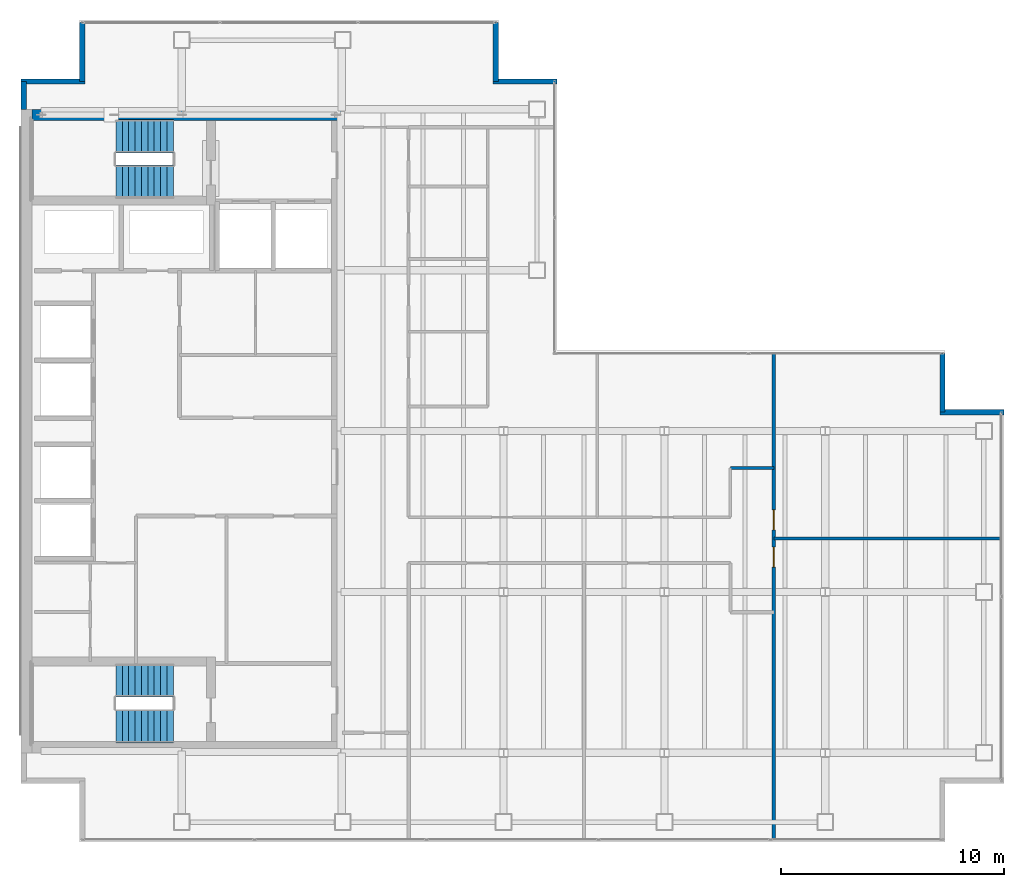
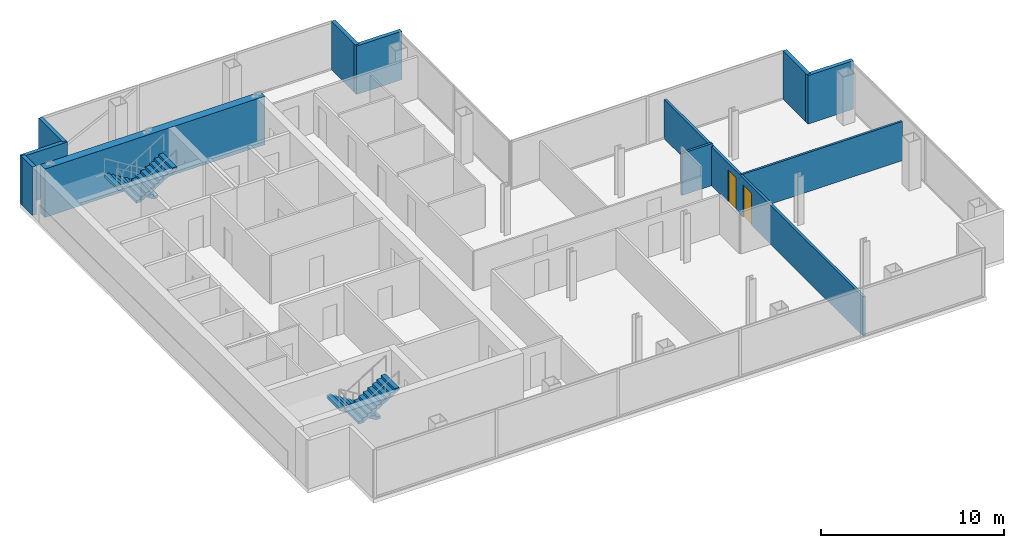
# One storey, part 22 of 23: 11 walls, 4 stair flights, 2 doors, 2 openings, 2 elements without a shape of their own.
"""IFC4 building model written with IfcOpenShell, lengths in metres."""

import ifcopenshell
import ifcopenshell.guid

model = None  # the IFC model being written
_history = None  # IfcOwnerHistory: only IFC2X3 demands one
_inside = {}  # id of a spatial element -> (the spatial element, [elements in it])
_under = {}  # id of a project, library or spatial element -> (it, [spatial elements below it])
_declared = {}  # id of a project -> (the project, [libraries it declares])
_typed = {}  # id of a type object -> (the type object, [elements of that type])
_made_of = {}  # id of a material, layer set ... -> (it, [elements and type objects made of it])


def new_model(schema):
    """Start an empty IFC model of exactly this schema.

    Asked for "IFC4X3", IfcOpenShell would pick the latest addendum, in which some entities
    have other attributes; the version numbers below select the first issue.
    IFC2X3 requires an IfcOwnerHistory on every rooted entity: one is made here for all.
    """
    global model, _history
    if schema == "IFC4X3":
        model = ifcopenshell.file(schema_version=(4, 3, 0, 0))
    else:
        model = ifcopenshell.file(schema=schema)
    _inside.clear()
    _under.clear()
    _declared.clear()
    _typed.clear()
    _made_of.clear()
    _history = None
    if model.schema == "IFC2X3":
        org = make("IfcOrganization", Name="unknown")
        user = make(
            "IfcPersonAndOrganization",
            ThePerson=make("IfcPerson", FamilyName="unknown"),
            TheOrganization=org,
        )
        app = make(
            "IfcApplication",
            ApplicationDeveloper=org,
            Version="unknown",
            ApplicationFullName="unknown",
            ApplicationIdentifier="unknown",
        )
        _history = make(
            "IfcOwnerHistory",
            OwningUser=user,
            OwningApplication=app,
            ChangeAction="ADDED",
            CreationDate=0,
        )
    return model


def make(cls, **values):
    """One entity of the class cls with the attributes given. An attribute that is None is left unset."""
    return model.create_entity(
        cls, **{name: value for name, value in values.items() if value is not None}
    )


def rooted(cls, **values):
    """An entity with a GlobalId (a new one), such as an element, a storey or a relation."""
    return make(cls, GlobalId=ifcopenshell.guid.new(), OwnerHistory=_history, **values)


def si_unit(unit_type, name, prefix=None):
    """IfcSIUnit, for example si_unit("LENGTHUNIT", "METRE", prefix="MILLI")."""
    return make("IfcSIUnit", UnitType=unit_type, Prefix=prefix, Name=name)


def assignment(units):
    """IfcUnitAssignment: the units of a project."""
    return None if units is None else make("IfcUnitAssignment", Units=units)


def point(xyz):
    """IfcCartesianPoint."""
    return None if xyz is None else make("IfcCartesianPoint", Coordinates=xyz)


def direction(xyz):
    """IfcDirection."""
    return None if xyz is None else make("IfcDirection", DirectionRatios=xyz)


def frame(location, z_axis=None, x_axis=None):
    """IfcAxis2Placement3D, a coordinate frame: its origin and axes. An axis left out is left unset."""
    return make(
        "IfcAxis2Placement3D",
        Location=point(location),
        Axis=direction(z_axis),
        RefDirection=direction(x_axis),
    )


def frame_2d(location, x_axis=None):
    """IfcAxis2Placement2D, a coordinate frame in the plane: its origin and x axis."""
    return make(
        "IfcAxis2Placement2D", Location=point(location), RefDirection=direction(x_axis)
    )


def origin():
    """The frame at (0, 0, 0) with its axes left unset."""
    return frame((0.0, 0.0, 0.0))


def place(relative_to, where):
    """IfcLocalPlacement: puts the frame where relative to a parent placement (None: the world)."""
    return make(
        "IfcLocalPlacement", PlacementRelTo=relative_to, RelativePlacement=where
    )


def context(
    kind, dimensions, precision=None, world=None, true_north=None, identifier=None
):
    """IfcGeometricRepresentationContext, for example the 3D "Model" context."""
    return make(
        "IfcGeometricRepresentationContext",
        ContextIdentifier=identifier,
        ContextType=kind,
        CoordinateSpaceDimension=dimensions,
        Precision=precision,
        WorldCoordinateSystem=world,
        TrueNorth=true_north,
    )


def subcontext(parent, identifier, kind, view, scale=None):
    """IfcGeometricRepresentationSubContext, for example "Body" below "Model"."""
    return make(
        "IfcGeometricRepresentationSubContext",
        ContextIdentifier=identifier,
        ContextType=kind,
        ParentContext=parent,
        TargetScale=scale,
        TargetView=view,
    )


def project(units=None, contexts=None):
    """IfcProject with its units and contexts."""
    return rooted(
        "IfcProject",
        Name="project",
        RepresentationContexts=contexts,
        UnitsInContext=assignment(units),
    )


def spatial(cls, under=None, at=None, **own):
    """A site, building, storey or space (cls), placed at a placement, below another one or the project."""
    s = rooted(cls, ObjectPlacement=at, **own)
    if under is not None:
        _under.setdefault(under.id(), (under, []))[1].append(s)
    return s


def polyline(points):
    """IfcPolyline through the points."""
    return make("IfcPolyline", Points=[point(p) for p in points])


def profile(cls, at=None, kind="AREA", **sizes):
    """A parametric profile (cls). Its sizes go by their IFC names, for example OverallWidth=200.0."""
    return make(cls, ProfileType=kind, Position=at, **sizes)


def rectangle(**sizes):
    """IfcRectangleProfileDef."""
    return profile("IfcRectangleProfileDef", **sizes)


def outline(outer, holes=None, kind="AREA"):
    """IfcArbitraryClosedProfileDef: a profile drawn as a closed curve; with holes, ...WithVoids."""
    if holes is None:
        return make("IfcArbitraryClosedProfileDef", ProfileType=kind, OuterCurve=outer)
    return make(
        "IfcArbitraryProfileDefWithVoids",
        ProfileType=kind,
        OuterCurve=outer,
        InnerCurves=holes,
    )


def extrude(swept, where, along, depth):
    """IfcExtrudedAreaSolid: the profile swept, set in the frame where, extruded along a direction by depth."""
    return make(
        "IfcExtrudedAreaSolid",
        SweptArea=swept,
        Position=where,
        ExtrudedDirection=direction(along),
        Depth=depth,
    )


def shape(context_of_items, identifier, shape_type, items):
    """IfcShapeRepresentation: the items that make up one representation, for example the "Body"."""
    return make(
        "IfcShapeRepresentation",
        ContextOfItems=context_of_items,
        RepresentationIdentifier=identifier,
        RepresentationType=shape_type,
        Items=items,
    )


def material(Name=None, Category=None):
    """IfcMaterial."""
    return make("IfcMaterial", Name=Name, Category=Category)


def layer(
    of_material, thickness, ventilated=None, Name=None, Category=None, Priority=None
):
    """IfcMaterialLayer: one layer of a wall or slab, of a material (None: an air gap)."""
    return make(
        "IfcMaterialLayer",
        Material=of_material,
        LayerThickness=thickness,
        IsVentilated=ventilated,
        Name=Name,
        Category=Category,
        Priority=Priority,
    )


def layer_set(layers, Name=None):
    """IfcMaterialLayerSet."""
    return make("IfcMaterialLayerSet", MaterialLayers=layers, LayerSetName=Name)


def made_of(thing, what):
    """Note that an element or type object is made of a material, layer set ...; save() writes the relation."""
    if what is not None:
        _made_of.setdefault(what.id(), (what, []))[1].append(thing)
    return thing


def type_object(cls, material=None, **own):
    """A type object (cls), such as IfcWallType, which elements share."""
    return made_of(rooted(cls, **own), material)


def element(
    cls,
    number,
    at=None,
    inside=None,
    cuts=None,
    type_object=None,
    material=None,
    context=None,
    identifier="Body",
    shape_type=None,
    held_by="IfcProductDefinitionShape",
    body=None,
    shapes=None,
    **own,
):
    """One element of the class cls, such as IfcWall. Its Tag is "e" and its number.

    at: its placement. inside: the storey or other place that contains it. cuts: it is an
    opening in that element (IfcRelVoidsElement). A single representation is given by context,
    identifier, shape_type and body (its items); several are given by shapes. held_by: the class
    of the entity that holds the representations. save() writes the other relations.
    """
    e = rooted(cls, Tag="e%d" % number, ObjectPlacement=at, **own)
    if body is not None:
        shapes = [shape(context, identifier, shape_type, body)]
    if shapes is not None:
        e.Representation = make(held_by, Representations=shapes)
    if inside is not None:
        _inside.setdefault(inside.id(), (inside, []))[1].append(e)
    if cuts is not None:
        rooted(
            "IfcRelVoidsElement", RelatingBuildingElement=cuts, RelatedOpeningElement=e
        )
    if type_object is not None:
        _typed.setdefault(type_object.id(), (type_object, []))[1].append(e)
    return made_of(e, material)


def fill(opening, filler):
    """IfcRelFillsElement: the door or window that sits in an opening."""
    return rooted(
        "IfcRelFillsElement",
        RelatingOpeningElement=opening,
        RelatedBuildingElement=filler,
    )


def aggregate(whole, parts):
    """IfcRelAggregates: a whole, such as a stair, and the parts it consists of."""
    return rooted("IfcRelAggregates", RelatingObject=whole, RelatedObjects=parts)


def save(model, path):
    """Write the relations noted so far, then the file.

    IfcRelAggregates (storeys below a building ...), IfcRelContainedInSpatialStructure (elements
    in a storey), IfcRelDefinesByType, IfcRelAssociatesMaterial and IfcRelDeclares: one each for
    every whole, place, type object, material and project.
    """
    for whole, parts in _under.values():
        aggregate(whole, parts)
    for where, things in _inside.values():
        rooted(
            "IfcRelContainedInSpatialStructure",
            RelatedElements=things,
            RelatingStructure=where,
        )
    for kind, things in _typed.values():
        rooted("IfcRelDefinesByType", RelatedObjects=things, RelatingType=kind)
    for what, things in _made_of.values():
        rooted("IfcRelAssociatesMaterial", RelatedObjects=things, RelatingMaterial=what)
    for by, libraries in _declared.values():
        rooted("IfcRelDeclares", RelatingContext=by, RelatedDefinitions=libraries)
    model.write(path)


model = new_model("IFC4")

# Units and contexts
model_context = context("Model", 3, precision=1e-05, world=origin(), true_north=direction((0.0, 1.0)))
body_context = subcontext(model_context, "Body", "Model", "MODEL_VIEW")
ifc_project = project(units=[si_unit("LENGTHUNIT", "METRE"), si_unit("AREAUNIT", "SQUARE_METRE"), si_unit("VOLUMEUNIT", "CUBIC_METRE"), si_unit("PLANEANGLEUNIT", "RADIAN"), si_unit("MASSUNIT", "GRAM", prefix="KILO")], contexts=[model_context])

# Site, building, storey
site_placement = place(None, origin())
site = spatial("IfcSite", under=ifc_project, at=site_placement, CompositionType="ELEMENT")
building_placement = place(site_placement, origin())
building = spatial("IfcBuilding", under=site, at=building_placement, Name="Cobrela Telecom Tower", CompositionType="ELEMENT")
storey_placement = place(building_placement, frame((0.0, 0.0, 215.25)))
storey = spatial("IfcBuildingStorey", under=building, at=storey_placement, Name="L55", CompositionType="ELEMENT", Elevation=215.25)

# Walls
ifc_material_1 = material(Name="Concrete C40/50", Category="concrete")
ifc_layer_1 = layer(ifc_material_1, 0.5)
ifc_layer_set_1 = layer_set([ifc_layer_1], Name="Concrete C40/50")
wall_type_1 = type_object("IfcWallType", Name="WALL-CORE-C40-500", PredefinedType="SHEAR", material=ifc_layer_set_1)
wall_1_placement = place(storey_placement, frame((0.5, 35.75, 0.0), z_axis=(0.0, 0.0, 1.0), x_axis=(1.0, 0.0, 0.0)))
element("IfcWall", 1, at=wall_1_placement, inside=storey, type_object=wall_type_1, Name="L55 North Core Shear Wall", PredefinedType="SHEAR", context=body_context, shape_type="SweptSolid", body=[
    extrude(rectangle(XDim=13.89990234375, YDim=0.5, at=frame_2d((6.949951171875, 0.0))), origin(), (0.0, 0.0, 1.0), 3.239990234375),
])
ifc_layer_2 = layer(ifc_material_1, 0.239990234375)
ifc_layer_set_2 = layer_set([ifc_layer_2], Name="Concrete C40/50")
wall_type_2 = type_object("IfcWallType", Name="WALL-EXT-300", PredefinedType="STANDARD", material=ifc_layer_set_2)
wall_2_placement = place(storey_placement, frame((0.1201171875, 36.0, 0.0), z_axis=(0.0, 0.0, 1.0), x_axis=(0.0, 1.0, 0.0)))
element("IfcWall", 2, at=wall_2_placement, inside=storey, type_object=wall_type_2, Name="L55 Insulated Facade Wall 04", PredefinedType="STANDARD", context=body_context, shape_type="SweptSolid", body=[
    extrude(rectangle(XDim=1.25, YDim=0.239990234375, at=frame_2d((0.625, 0.0))), origin(), (0.0, 0.0, 1.0), 3.239990234375),
])
wall_3_placement = place(storey_placement, frame((0.0, 37.25, 0.0), z_axis=(0.0, 0.0, 1.0), x_axis=(1.0, 0.0, 0.0)))
element("IfcWall", 3, at=wall_3_placement, inside=storey, type_object=wall_type_2, Name="L55 Insulated Facade Wall 05", PredefinedType="STANDARD", context=body_context, shape_type="SweptSolid", body=[
    extrude(rectangle(XDim=2.8701171875, YDim=0.239990234375, at=frame_2d((1.43505859375, 0.0))), origin(), (0.0, 0.0, 1.0), 3.239990234375),
])
for number, where, z_axis, x_axis, name in (
    (4, (2.75, 37.25, 0.0), (0.0, 0.0, 1.0), (0.0, 1.0, 0.0), "L55 Insulated Facade Wall 06"),
    (5, (21.25, 39.8798828125, 0.0), (0.0, 0.0, 1.0), (0.0, -1.0, 0.0), "L55 Insulated Facade Wall 08"),
):
    element("IfcWall", number, at=place(storey_placement, frame(where, z_axis=z_axis, x_axis=x_axis)), inside=storey, type_object=wall_type_2, Name=name, PredefinedType="STANDARD", context=body_context, shape_type="SweptSolid", body=[
        extrude(rectangle(XDim=2.6298828125, YDim=0.239990234375, at=frame_2d((1.31494140625, 0.0))), origin(), (0.0, 0.0, 1.0), 3.239990234375),
    ])
wall_4_placement = place(storey_placement, frame((21.1298828125, 37.25, 0.0), z_axis=(0.0, 0.0, 1.0), x_axis=(1.0, 0.0, 0.0)))
element("IfcWall", 6, at=wall_4_placement, inside=storey, type_object=wall_type_2, Name="L55 Insulated Facade Wall 09", PredefinedType="STANDARD", context=body_context, shape_type="SweptSolid", body=[
    extrude(rectangle(XDim=2.8701171875, YDim=0.239990234375, at=frame_2d((1.43505859375, 0.0))), origin(), (0.0, 0.0, 1.0), 3.239990234375),
])
wall_5_placement = place(storey_placement, frame((41.25, 25.080078125, 0.0), z_axis=(0.0, 0.0, 1.0), x_axis=(0.0, -1.0, 0.0)))
element("IfcWall", 7, at=wall_5_placement, inside=storey, type_object=wall_type_2, Name="L55 Insulated Facade Wall 12", PredefinedType="STANDARD", context=body_context, shape_type="SweptSolid", body=[
    extrude(rectangle(XDim=2.630126953125, YDim=0.239990234375, at=frame_2d((1.31494140625, 0.0))), origin(), (0.0, 0.0, 1.0), 3.239990234375),
])
wall_6_placement = place(storey_placement, frame((41.1298828125, 22.449951171875, 0.0), z_axis=(0.0, 0.0, 1.0), x_axis=(1.0, 0.0, 0.0)))
element("IfcWall", 8, at=wall_6_placement, inside=storey, type_object=wall_type_2, Name="L55 Insulated Facade Wall 13", PredefinedType="STANDARD", context=body_context, shape_type="SweptSolid", body=[
    extrude(rectangle(XDim=2.8701171875, YDim=0.239990234375, at=frame_2d((1.43505859375, 0.0))), origin(), (0.0, 0.0, 1.0), 3.239990234375),
])
ifc_material_2 = material(Name="Fire-Rated Gypsum Plasterboard")
ifc_layer_3 = layer(ifc_material_2, 0.135009765625)
ifc_layer_set_3 = layer_set([ifc_layer_3], Name="Fire-Rated Gypsum Plasterboard")
wall_type_3 = type_object("IfcWallType", Name="WALL-PART-135", PredefinedType="PARTITIONING", material=ifc_layer_set_3)
wall_7_placement = place(storey_placement, frame((33.699951171875, 16.800048828125, 0.0), z_axis=(0.0, 0.0, 1.0), x_axis=(1.0, 0.0, 0.0)))
element("IfcWall", 9, at=wall_7_placement, inside=storey, type_object=wall_type_3, Name="L55 Interior Partition W-FE-H", PredefinedType="PARTITIONING", context=body_context, shape_type="SweptSolid", body=[
    extrude(rectangle(XDim=10.179931640625, YDim=0.135009765625, at=frame_2d((5.08984375, 0.0))), origin(), (0.0, 0.0, 1.0), 2.613037109375),
])
ifc_layer_4 = layer(ifc_material_2, 0.14990234375)
ifc_layer_set_4 = layer_set([ifc_layer_4], Name="Fire-Rated Gypsum Plasterboard")
wall_type_4 = type_object("IfcWallType", Name="WALL-PART-150", PredefinedType="PARTITIONING", material=ifc_layer_set_4)
wall_8_placement = place(storey_placement, frame((31.75, 19.949951171875, 0.0), z_axis=(0.0, 0.0, 1.0), x_axis=(1.0, 0.0, 0.0)))
element("IfcWall", 10, at=wall_8_placement, inside=storey, type_object=wall_type_4, Name="L55 Interior Partition W-CT-N", PredefinedType="PARTITIONING", context=body_context, shape_type="SweptSolid", body=[
    extrude(rectangle(XDim=1.949951171875, YDim=0.14990234375, at=frame_2d((0.97509765625, 0.0))), origin(), (0.0, 0.0, 1.0), 2.80810546875),
])

# Wall, openings, doors
ifc_layer_5 = layer(ifc_material_2, 0.159912109375)
ifc_layer_set_5 = layer_set([ifc_layer_5], Name="Fire-Rated Gypsum Plasterboard")
wall_type_5 = type_object("IfcWallType", Name="WALL-PART-160", PredefinedType="PARTITIONING", material=ifc_layer_set_5)
wall_9_placement = place(storey_placement, frame((33.699951171875, 3.320068359375, 0.0), z_axis=(0.0, 0.0, 1.0), x_axis=(0.0, 1.0, 0.0)))
wall_9 = element("IfcWall", 11, at=wall_9_placement, inside=storey, type_object=wall_type_5, Name="L55 Interior Partition W-C-END", PredefinedType="PARTITIONING", context=body_context, shape_type="SweptSolid", body=[
    extrude(rectangle(XDim=21.760009765625, YDim=0.159912109375, at=frame_2d((10.8798828125, 0.0))), origin(), (0.0, 0.0, 1.0), 2.613037109375),
])
opening_1_placement = place(wall_9_placement, frame((12.18994140625, 0.0, 0.0)))
opening_1 = element("IfcOpeningElement", 12, at=opening_1_placement, cuts=wall_9, Name="Opening DR-41", PredefinedType="OPENING", context=body_context, shape_type="SweptSolid", body=[
    extrude(rectangle(XDim=0.89990234375, YDim=2.14990234375, at=frame_2d((0.449951171875, 1.074951171875))), frame((0.0, 0.091796875, 0.0), z_axis=(0.0, -1.0, 0.0), x_axis=(1.0, 0.0, 0.0)), (0.0, 0.0, 1.0), 0.183837890625),
])
opening_2_placement = place(wall_9_placement, frame((13.860107421875, 0.0, 0.0)))
opening_2 = element("IfcOpeningElement", 13, at=opening_2_placement, cuts=wall_9, Name="Opening DR-41", PredefinedType="OPENING", context=body_context, shape_type="SweptSolid", body=[
    extrude(rectangle(XDim=0.89990234375, YDim=2.14990234375, at=frame_2d((0.449951171875, 1.074951171875))), frame((0.0, 0.091796875, 0.0), z_axis=(0.0, -1.0, 0.0), x_axis=(1.0, 0.0, 0.0)), (0.0, 0.0, 1.0), 0.183837890625),
])
ifc_material_3 = material(Name="Solid Engineered Oak Timber", Category="wood")
door_type = type_object("IfcDoorType", Name="DOOR-INT-900", OperationType="SINGLE_SWING_LEFT", PredefinedType="DOOR", material=ifc_material_3)
door_1_placement = place(opening_1_placement, origin())
door_1 = element("IfcDoor", 14, at=door_1_placement, inside=storey, type_object=door_type, Name="L55 Door DR-41", OperationType="SINGLE_SWING_LEFT", OverallHeight=2.14990234375, OverallWidth=0.89990234375, PredefinedType="DOOR", context=body_context, shape_type="SweptSolid", body=[
    extrude(rectangle(XDim=0.89990234375, YDim=2.14990234375, at=frame_2d((0.449951171875, 1.074951171875))), frame((0.0, 0.02490234375, 0.0), z_axis=(0.0, -1.0, 0.0), x_axis=(1.0, 0.0, 0.0)), (0.0, 0.0, 1.0), 0.050048828125),
])
fill(opening_1, door_1)
door_2_placement = place(opening_2_placement, origin())
door_2 = element("IfcDoor", 15, at=door_2_placement, inside=storey, type_object=door_type, Name="L55 Door DR-41", OperationType="SINGLE_SWING_RIGHT", OverallHeight=2.14990234375, OverallWidth=0.89990234375, PredefinedType="DOOR", context=body_context, shape_type="SweptSolid", body=[
    extrude(rectangle(XDim=0.89990234375, YDim=2.14990234375, at=frame_2d((0.449951171875, 1.074951171875))), frame((0.0, 0.02490234375, 0.0), z_axis=(0.0, -1.0, 0.0), x_axis=(1.0, 0.0, 0.0)), (0.0, 0.0, 1.0), 0.050048828125),
])
fill(opening_2, door_2)

# Stair, stair flights
stair_type = type_object("IfcStairType", Name="STAIR-CORE", PredefinedType="HALF_TURN_STAIR", material=ifc_material_1)
stair_1_placement = place(storey_placement, origin())
stair_1 = element("IfcStair", 16, at=stair_1_placement, inside=storey, type_object=stair_type, Name="L55 Smokeproof Exit Stair ST1", PredefinedType="HALF_TURN_STAIR")
stair_flight_type = type_object("IfcStairFlightType", Name="FLIGHT-CORE", PredefinedType="STRAIGHT", material=ifc_material_1)
stair_flight_1_placement = place(storey_placement, frame((6.820068359375, 34.800048828125, 0.0), z_axis=(0.0, 0.0, 1.0), x_axis=(-1.0, 0.0, 0.0)))
stair_flight_1 = element("IfcStairFlight", 17, at=stair_flight_1_placement, type_object=stair_flight_type, Name="ST1 flight 1", NumberOfRisers=10, NumberOfTreads=9, PredefinedType="STRAIGHT", RiserHeight=0.175, TreadLength=0.285, context=body_context, shape_type="SweptSolid", body=[
    extrude(outline(polyline([(0.0, 0.0), (0.0, 0.175048828125), (0.284912109375, 0.175048828125), (0.284912109375, 0.35009765625), (0.570068359375, 0.35009765625), (0.570068359375, 0.52490234375), (0.85498046875, 0.52490234375), (0.85498046875, 0.699951171875), (1.139892578125, 0.699951171875), (1.139892578125, 0.875), (1.425048828125, 0.875), (1.425048828125, 1.050048828125), (1.7099609375, 1.050048828125), (1.7099609375, 1.22509765625), (1.9951171875, 1.22509765625), (1.9951171875, 1.39990234375), (2.280029296875, 1.39990234375), (2.280029296875, 1.574951171875), (2.56494140625, 1.574951171875), (2.56494140625, 1.75), (2.56494140625, 1.399169921875), (0.286376953125, 0.0), (0.0, 0.0)])), frame((0.0, 0.75, 0.0), z_axis=(0.0, -1.0, 0.0), x_axis=(1.0, 0.0, 0.0)), (0.0, 0.0, 1.0), 1.5),
])
stair_flight_2_placement = place(storey_placement, frame((4.2548828125, 32.75, 1.75), z_axis=(0.0, 0.0, 1.0), x_axis=(1.0, 0.0, 0.0)))
stair_flight_2 = element("IfcStairFlight", 18, at=stair_flight_2_placement, type_object=stair_flight_type, Name="ST1 flight 2", NumberOfRisers=10, NumberOfTreads=9, PredefinedType="STRAIGHT", RiserHeight=0.175, TreadLength=0.285, context=body_context, shape_type="SweptSolid", body=[
    extrude(outline(polyline([(0.0, 0.0), (0.0, 0.175048828125), (0.284912109375, 0.175048828125), (0.284912109375, 0.35009765625), (0.570068359375, 0.35009765625), (0.570068359375, 0.52490234375), (0.85498046875, 0.52490234375), (0.85498046875, 0.699951171875), (1.139892578125, 0.699951171875), (1.139892578125, 0.875), (1.425048828125, 0.875), (1.425048828125, 1.050048828125), (1.7099609375, 1.050048828125), (1.7099609375, 1.22509765625), (1.9951171875, 1.22509765625), (1.9951171875, 1.39990234375), (2.280029296875, 1.39990234375), (2.280029296875, 1.574951171875), (2.56494140625, 1.574951171875), (2.56494140625, 1.75), (2.56494140625, 1.399169921875), (0.286376953125, 0.0), (0.0, 0.0)])), frame((0.0, 0.75, 0.0), z_axis=(0.0, -1.0, 0.0), x_axis=(1.0, 0.0, 0.0)), (0.0, 0.0, 1.0), 1.5),
])
aggregate(stair_1, [stair_flight_1, stair_flight_2])

stair_2_placement = place(storey_placement, origin())
stair_2 = element("IfcStair", 19, at=stair_2_placement, inside=storey, type_object=stair_type, Name="L55 Smokeproof Exit Stair ST2", PredefinedType="HALF_TURN_STAIR")
stair_flight_3_placement = place(storey_placement, frame((6.820068359375, 10.449951171875, 0.0), z_axis=(0.0, 0.0, 1.0), x_axis=(-1.0, 0.0, 0.0)))
stair_flight_3 = element("IfcStairFlight", 20, at=stair_flight_3_placement, type_object=stair_flight_type, Name="ST2 flight 1", NumberOfRisers=10, NumberOfTreads=9, PredefinedType="STRAIGHT", RiserHeight=0.175, TreadLength=0.285, context=body_context, shape_type="SweptSolid", body=[
    extrude(outline(polyline([(0.0, 0.0), (0.0, 0.175048828125), (0.284912109375, 0.175048828125), (0.284912109375, 0.35009765625), (0.570068359375, 0.35009765625), (0.570068359375, 0.52490234375), (0.85498046875, 0.52490234375), (0.85498046875, 0.699951171875), (1.139892578125, 0.699951171875), (1.139892578125, 0.875), (1.425048828125, 0.875), (1.425048828125, 1.050048828125), (1.7099609375, 1.050048828125), (1.7099609375, 1.22509765625), (1.9951171875, 1.22509765625), (1.9951171875, 1.39990234375), (2.280029296875, 1.39990234375), (2.280029296875, 1.574951171875), (2.56494140625, 1.574951171875), (2.56494140625, 1.75), (2.56494140625, 1.399169921875), (0.286376953125, 0.0), (0.0, 0.0)])), frame((0.0, 0.75, 0.0), z_axis=(0.0, -1.0, 0.0), x_axis=(1.0, 0.0, 0.0)), (0.0, 0.0, 1.0), 1.5),
])
stair_flight_4_placement = place(storey_placement, frame((4.2548828125, 8.39990234375, 1.75), z_axis=(0.0, 0.0, 1.0), x_axis=(1.0, 0.0, 0.0)))
stair_flight_4 = element("IfcStairFlight", 21, at=stair_flight_4_placement, type_object=stair_flight_type, Name="ST2 flight 2", NumberOfRisers=10, NumberOfTreads=9, PredefinedType="STRAIGHT", RiserHeight=0.175, TreadLength=0.285, context=body_context, shape_type="SweptSolid", body=[
    extrude(outline(polyline([(0.0, 0.0), (0.0, 0.175048828125), (0.284912109375, 0.175048828125), (0.284912109375, 0.35009765625), (0.570068359375, 0.35009765625), (0.570068359375, 0.52490234375), (0.85498046875, 0.52490234375), (0.85498046875, 0.699951171875), (1.139892578125, 0.699951171875), (1.139892578125, 0.875), (1.425048828125, 0.875), (1.425048828125, 1.050048828125), (1.7099609375, 1.050048828125), (1.7099609375, 1.22509765625), (1.9951171875, 1.22509765625), (1.9951171875, 1.39990234375), (2.280029296875, 1.39990234375), (2.280029296875, 1.574951171875), (2.56494140625, 1.574951171875), (2.56494140625, 1.75), (2.56494140625, 1.399169921875), (0.286376953125, 0.0), (0.0, 0.0)])), frame((0.0, 0.75, 0.0), z_axis=(0.0, -1.0, 0.0), x_axis=(1.0, 0.0, 0.0)), (0.0, 0.0, 1.0), 1.5),
])
aggregate(stair_2, [stair_flight_3, stair_flight_4])

save(model, "model.ifc")
